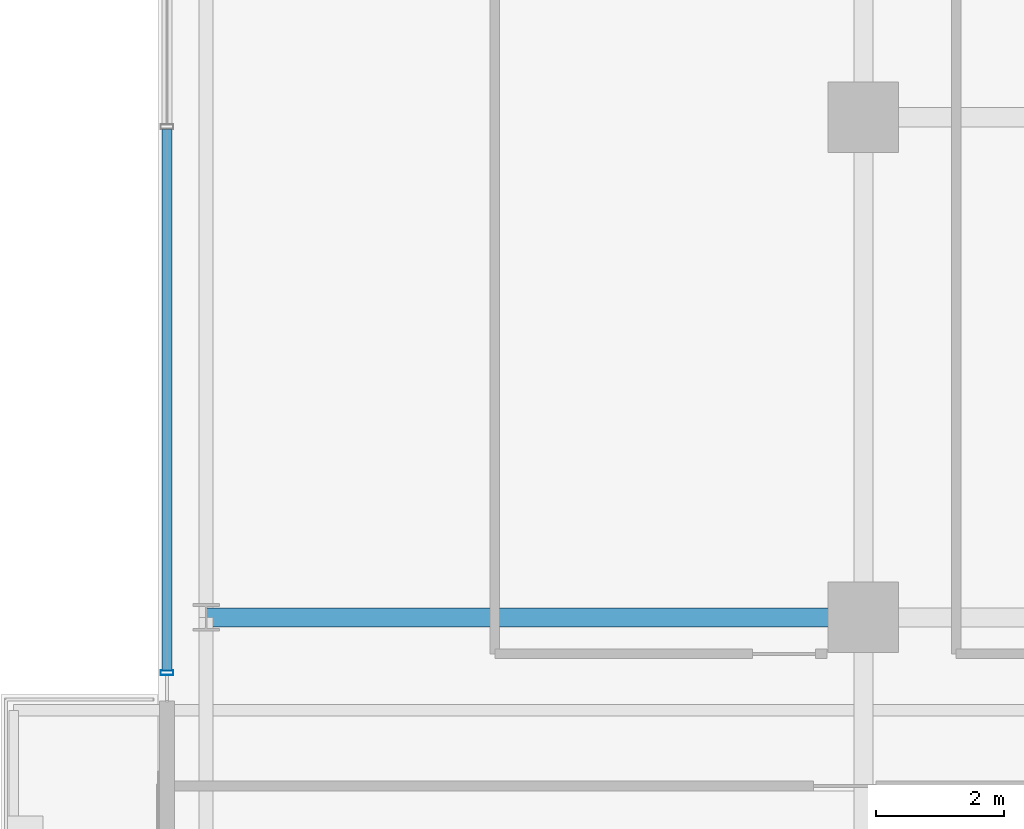
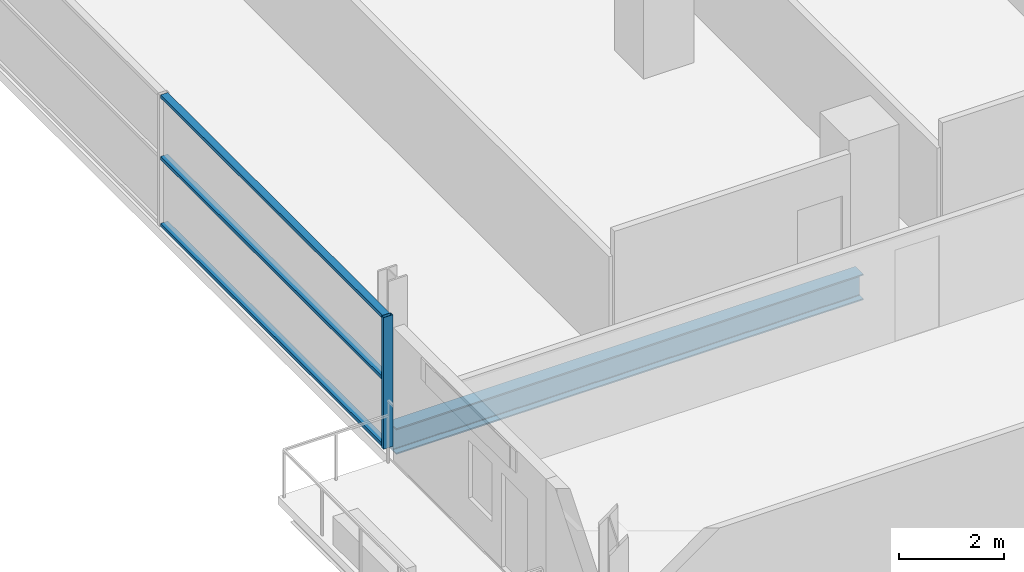
# One storey, part 5 of 30: 4 members, 1 beam, 1 element without a shape of its own.
"""IFC4 building model written with IfcOpenShell, lengths in metres."""

from ifc_helpers import new_model, si_unit, direction, frame, origin, origin_2d, place, context, subcontext, project, spatial, hollow_rectangle, i_section, extrude, source, transform, mapped, material, layer, layer_set, material_profile, profile_set, type_object, element, aggregate, save


model = new_model("IFC4")

# Units and contexts
model_context = context("Model", 3, precision=1e-05, world=origin(), true_north=direction((0.0, 1.0)))
body_context = subcontext(model_context, "Body", "Model", "MODEL_VIEW")
ifc_project = project(units=[si_unit("LENGTHUNIT", "METRE"), si_unit("AREAUNIT", "SQUARE_METRE"), si_unit("VOLUMEUNIT", "CUBIC_METRE"), si_unit("PLANEANGLEUNIT", "RADIAN"), si_unit("MASSUNIT", "GRAM", prefix="KILO")], contexts=[model_context])

# Site, building, storey
site_placement = place(None, origin())
site = spatial("IfcSite", under=ifc_project, at=site_placement, CompositionType="ELEMENT")
building_placement = place(site_placement, origin())
building = spatial("IfcBuilding", under=site, at=building_placement, Name="Zarnakvel Exchange Tower", CompositionType="ELEMENT")
storey_placement = place(building_placement, frame((0.0, 0.0, 34.0)))
storey = spatial("IfcBuildingStorey", under=building, at=storey_placement, Name="L08", CompositionType="ELEMENT", Elevation=34.0)

# Beam
ifc_material_1 = material(Name="Steel S355", Category="steel")
ifc_material_profile_1 = material_profile(ifc_material_1, i_section(OverallWidth=0.300048828125, OverallDepth=0.60009765625, WebThickness=0.015380859375, FlangeThickness=0.030029296875, FilletRadius=0.027099609375, at=origin_2d()))
ifc_profile_set_1 = profile_set([ifc_material_profile_1], Name="Steel S355")
beam_type = type_object("IfcBeamType", Name="G-04", PredefinedType="BEAM", material=ifc_profile_set_1)
beam_placement = place(storey_placement, frame((-31.85009765625, -1.199951171875, -0.52490234375), z_axis=(1.0, 0.0, 0.0), x_axis=(0.0, 1.0, 0.0)))
element("IfcBeam", 1, at=beam_placement, inside=storey, type_object=beam_type, Name="L08 Tower E-W Frame Beam", PredefinedType="BEAM", context=body_context, shape_type="SweptSolid", body=[
    extrude(i_section(OverallWidth=0.300048828125, OverallDepth=0.60009765625, WebThickness=0.015380859375, FlangeThickness=0.030029296875, FilletRadius=0.027099609375, at=origin_2d()), origin(), (0.0, 0.0, 1.0), 10.25),
])

# Curtain wall, members
ifc_material_2 = material(Name="Architectural Bronze Anodised Aluminium", Category="aluminium")
ifc_layer = layer(ifc_material_2, 0.199951171875)
ifc_layer_set = layer_set([ifc_layer], Name="Architectural Bronze Anodised Aluminium")
curtain_wall_type = type_object("IfcCurtainWallType", Name="CW-04", PredefinedType="NOTDEFINED", material=ifc_layer_set)
curtain_wall_placement = place(storey_placement, origin())
curtain_wall = element("IfcCurtainWall", 2, at=curtain_wall_placement, inside=storey, type_object=curtain_wall_type, Name="L08 Curtain Wall CW-L08-WN (CW-04)", PredefinedType="NOTDEFINED")
ifc_material_profile_2 = material_profile(ifc_material_2, hollow_rectangle(XDim=0.159912109375, YDim=0.074951171875, WallThickness=0.00390625, at=origin_2d()))
ifc_profile_set_2 = profile_set([ifc_material_profile_2], Name="Architectural Bronze Anodised Aluminium")
member_type_1 = type_object("IfcMemberType", Name="CWT-04", PredefinedType="USERDEFINED", material=ifc_profile_set_2)
shared_shape_1 = source(origin(), body_context, "Body", "SweptSolid", [
    extrude(hollow_rectangle(XDim=0.159912109375, YDim=0.074951171875, WallThickness=0.00390625, at=origin_2d()), origin(), (0.0, 0.0, 1.0), 8.4375),
])
member_1_placement = place(storey_placement, frame((-32.4599609375, -2.02490234375, 0.03759765625), z_axis=(0.0, 1.0, 0.0), x_axis=(-1.0, 0.0, 0.0)))
member_1 = element("IfcMember", 3, at=member_1_placement, type_object=member_type_1, Name="CW-04 transom 1.1", ObjectType="TRANSOM", PredefinedType="USERDEFINED", context=body_context, shape_type="MappedRepresentation", body=[
    mapped(shared_shape_1, transform((0.0, 0.0, 0.0), x_axis=(1.0, 0.0, 0.0), y_axis=(0.0, 1.0, 0.0), z_axis=(0.0, 0.0, 1.0), scale=1.0)),
])
member_2_placement = place(storey_placement, frame((-32.4599609375, -2.02490234375, 1.588623046875), z_axis=(0.0, 1.0, 0.0), x_axis=(-1.0, 0.0, 0.0)))
member_2 = element("IfcMember", 4, at=member_2_placement, type_object=member_type_1, Name="CW-04 transom 1.2", ObjectType="TRANSOM", PredefinedType="USERDEFINED", context=body_context, shape_type="MappedRepresentation", body=[
    mapped(shared_shape_1, transform((0.0, 0.0, 0.0), x_axis=(1.0, 0.0, 0.0), y_axis=(0.0, 1.0, 0.0), z_axis=(0.0, 0.0, 1.0), scale=1.0)),
])
member_3_placement = place(storey_placement, frame((-32.4599609375, -2.02490234375, 3.017578125), z_axis=(0.0, 1.0, 0.0), x_axis=(-1.0, 0.0, 0.0)))
member_3 = element("IfcMember", 5, at=member_3_placement, type_object=member_type_1, Name="CW-04 transom 1.3", ObjectType="TRANSOM", PredefinedType="USERDEFINED", context=body_context, shape_type="MappedRepresentation", body=[
    mapped(shared_shape_1, transform((0.0, 0.0, 0.0), x_axis=(1.0, 0.0, 0.0), y_axis=(0.0, 1.0, 0.0), z_axis=(0.0, 0.0, 1.0), scale=1.0)),
])
ifc_material_profile_3 = material_profile(ifc_material_2, hollow_rectangle(XDim=0.199951171875, YDim=0.074951171875, WallThickness=0.0048828125, at=origin_2d()))
ifc_profile_set_3 = profile_set([ifc_material_profile_3], Name="Architectural Bronze Anodised Aluminium")
member_type_2 = type_object("IfcMemberType", Name="CWM-04", PredefinedType="MULLION", material=ifc_profile_set_3)
shared_shape_2 = source(origin(), body_context, "Body", "SweptSolid", [
    extrude(hollow_rectangle(XDim=0.199951171875, YDim=0.074951171875, WallThickness=0.0048828125, at=origin_2d()), origin(), (0.0, 0.0, 1.0), 3.054931640625),
])
member_4_placement = place(storey_placement, frame((-32.4599609375, -2.0625, 0.0), z_axis=(0.0, 0.0, 1.0), x_axis=(-1.0, 0.0, 0.0)))
member_4 = element("IfcMember", 6, at=member_4_placement, type_object=member_type_2, Name="CW-04 mullion 1", PredefinedType="MULLION", context=body_context, shape_type="MappedRepresentation", body=[
    mapped(shared_shape_2, transform((0.0, 0.0, 0.0), x_axis=(1.0, 0.0, 0.0), y_axis=(0.0, 1.0, 0.0), z_axis=(0.0, 0.0, 1.0), scale=1.0)),
])
aggregate(curtain_wall, [member_4, member_1, member_2, member_3])

save(model, "model.ifc")
